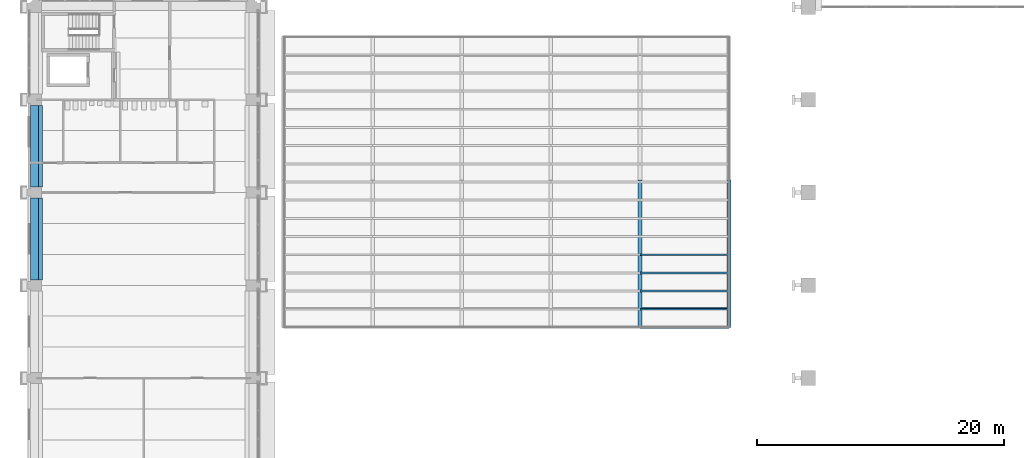
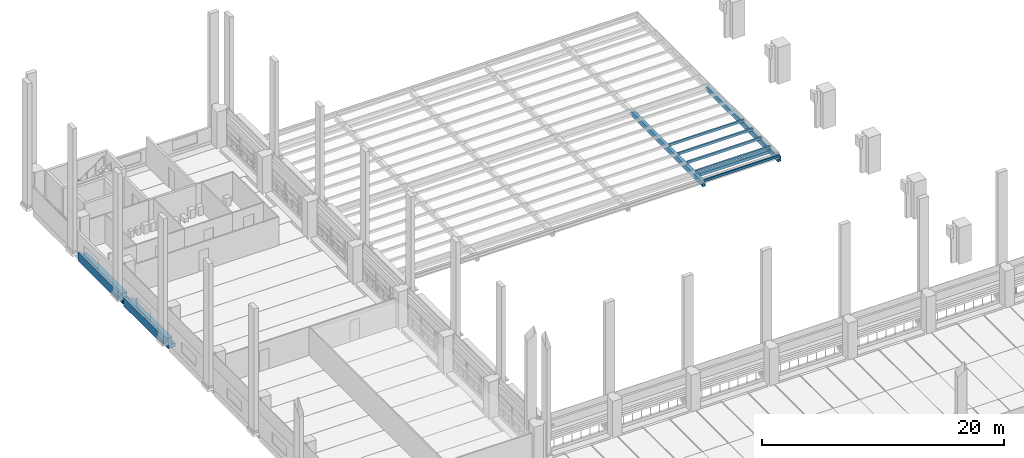
# One storey, part 11 of 67: 5 beams, 5 members.
"""IFC4 building model written with IfcOpenShell, lengths in metres."""

from ifc_helpers import new_model, si_unit, direction, frame, origin, origin_2d, place, context, subcontext, project, spatial, polyline, hollow_rectangle, outline, extrude, material, material_profile, profile_set, type_object, element, save


model = new_model("IFC4")

# Units and contexts
model_context = context("Model", 3, precision=1e-05, world=origin(), true_north=direction((0.0, 1.0)))
body_context = subcontext(model_context, "Body", "Model", "MODEL_VIEW")
ifc_project = project(units=[si_unit("LENGTHUNIT", "METRE"), si_unit("AREAUNIT", "SQUARE_METRE"), si_unit("VOLUMEUNIT", "CUBIC_METRE"), si_unit("PLANEANGLEUNIT", "RADIAN"), si_unit("MASSUNIT", "GRAM", prefix="KILO")], contexts=[model_context])

# Site, building, storey
site_placement = place(None, origin())
site = spatial("IfcSite", under=ifc_project, at=site_placement, CompositionType="ELEMENT")
building_placement = place(site_placement, origin())
building = spatial("IfcBuilding", under=site, at=building_placement, Name="Cour d'Honneur Mobility Palace", CompositionType="ELEMENT")
storey_placement = place(building_placement, frame((0.0, 0.0, 4.5)))
storey = spatial("IfcBuildingStorey", under=building, at=storey_placement, Name="L01", CompositionType="ELEMENT", Elevation=4.5)

# Beams
ifc_material_1 = material(Name="Steel S355", Category="steel")
ifc_material_profile_1 = material_profile(ifc_material_1, hollow_rectangle(XDim=0.300048828125, YDim=0.5, WallThickness=0.01611328125, at=origin_2d()), Name="RHS 500x300x16")
ifc_profile_set_1 = profile_set([ifc_material_profile_1], Name="Steel S355")
beam_type_1 = type_object("IfcBeamType", Name="Canopy main beam RHS 500x300x16", PredefinedType="BEAM", material=ifc_profile_set_1)
for number, where, z_axis, x_axis, name in (
    (1, (48.800048828125, 89.0, 0.75), (0.0, 1.0, 0.0), (-1.0, 0.0, 0.0), "Canopy main beam FCM-W5.1"),
    (2, (56.0, 89.0, 0.75), (0.0, 1.0, 0.0), (-1.0, 0.0, 0.0), "Canopy main beam FCM-W6.1"),
):
    element("IfcBeam", number, at=place(storey_placement, frame(where, z_axis=z_axis, x_axis=x_axis)), inside=storey, type_object=beam_type_1, Name=name, PredefinedType="BEAM", context=body_context, shape_type="SweptSolid", body=[
        extrude(hollow_rectangle(XDim=0.300048828125, YDim=0.5, WallThickness=0.01611328125, at=origin_2d()), origin(), (0.0, 0.0, 1.0), 11.911865234375),
    ])

# Members
ifc_material_2 = material(Name="Steel S355", Category="steel")
ifc_material_profile_2 = material_profile(ifc_material_2, hollow_rectangle(XDim=0.14990234375, YDim=0.25, WallThickness=0.010009765625, at=origin_2d()), Name="RHS 250x150x10")
ifc_profile_set_2 = profile_set([ifc_material_profile_2], Name="Steel S355")
member_type = type_object("IfcMemberType", Name="Canopy purlin RHS 250x150x10", PredefinedType="PURLIN", material=ifc_profile_set_2)
for number, where, z_axis, x_axis, name in (
    (3, (48.800048828125, 89.0, 1.125), (1.0, 0.0, 0.0), (0.0, 1.0, 0.0), "Canopy purlin FCP-W1.5"),
    (4, (48.800048828125, 90.46875, 1.125), (1.0, 0.0, 0.0), (0.0, 1.0, 0.0), "Canopy purlin FCP-W2.5"),
    (5, (48.800048828125, 91.9375, 1.125), (1.0, 0.0, 0.0), (0.0, 1.0, 0.0), "Canopy purlin FCP-W3.5"),
    (6, (48.800048828125, 93.40625, 1.125), (1.0, 0.0, 0.0), (0.0, 1.0, 0.0), "Canopy purlin FCP-W4.5"),
    (7, (48.800048828125, 94.875, 1.125), (1.0, 0.0, 0.0), (0.0, 1.0, 0.0), "Canopy purlin FCP-W5.5"),
):
    element("IfcMember", number, at=place(storey_placement, frame(where, z_axis=z_axis, x_axis=x_axis)), inside=storey, type_object=member_type, Name=name, PredefinedType="PURLIN", context=body_context, shape_type="SweptSolid", body=[
        extrude(hollow_rectangle(XDim=0.14990234375, YDim=0.25, WallThickness=0.010009765625, at=origin_2d()), origin(), (0.0, 0.0, 1.0), 7.199951171875),
    ])

# Beams
ifc_material_3 = material(Name="Steel S355", Category="steel")
ifc_material_profile_3 = material_profile(ifc_material_3, hollow_rectangle(XDim=0.199951171875, YDim=0.300048828125, WallThickness=0.012451171875, at=origin_2d()), Name="RHS 300x200x12.5")
ifc_profile_set_3 = profile_set([ifc_material_profile_3], Name="Steel S355")
beam_type_2 = type_object("IfcBeamType", Name="Canopy tie beam RHS 300x200x12.5", PredefinedType="BEAM", material=ifc_profile_set_3)
beam_placement = place(storey_placement, frame((48.9619140625, 90.5, 0.64990234375), z_axis=(1.0, 0.0, 0.0), x_axis=(0.0, 1.0, 0.0)))
element("IfcBeam", 8, at=beam_placement, inside=storey, type_object=beam_type_2, Name="Canopy tie beam FCT-W1.5", PredefinedType="BEAM", context=body_context, shape_type="SweptSolid", body=[
    extrude(hollow_rectangle(XDim=0.199951171875, YDim=0.300048828125, WallThickness=0.012451171875, at=origin_2d()), origin(), (0.0, 0.0, 1.0), 6.876220703125),
])
ifc_material_4 = material(Name="Concrete C45", Category="concrete")
ifc_material_profile_4 = material_profile(ifc_material_4, outline(polyline([(0.199951171875, -1.10009765625), (0.199951171875, -0.60009765625), (0.64990234375, -0.60009765625), (0.64990234375, 0.300048828125), (0.449951171875, 0.300048828125), (0.449951171875, 0.0), (0.199951171875, 0.0), (-0.199951171875, 0.0), (-0.199951171875, -0.75), (-0.5, -0.75), (-0.5, -1.10009765625), (0.199951171875, -1.10009765625)])), Name="Ledger Beam 400x1100 ledge right 350 facade left")
ifc_profile_set_4 = profile_set([ifc_material_profile_4], Name="Concrete C45")
beam_type_3 = type_object("IfcBeamType", Name="Ledger Beam 400x1100 ledge right 350 facade left", PredefinedType="BEAM", material=ifc_profile_set_4)
for number, where, z_axis, x_axis, name in (
    (9, (0.0, 92.85009765625, 0.0), (0.0, 1.0, 0.0), (-1.0, 0.0, 0.0), "Precast beam B4 M-N L01"),
    (10, (0.0, 100.35009765625, 0.0), (0.0, 1.0, 0.0), (-1.0, 0.0, 0.0), "Precast beam B4 N-P L01"),
):
    element("IfcBeam", number, at=place(storey_placement, frame(where, z_axis=z_axis, x_axis=x_axis)), inside=storey, type_object=beam_type_3, Name=name, PredefinedType="BEAM", context=body_context, shape_type="SweptSolid", body=[
        extrude(outline(polyline([(0.199951171875, -1.10009765625), (0.199951171875, -0.60009765625), (0.64990234375, -0.60009765625), (0.64990234375, 0.300048828125), (0.449951171875, 0.300048828125), (0.449951171875, 0.0), (0.199951171875, 0.0), (-0.199951171875, 0.0), (-0.199951171875, -0.75), (-0.5, -0.75), (-0.5, -1.10009765625), (0.199951171875, -1.10009765625)])), origin(), (0.0, 0.0, 1.0), 6.599853515625),
    ])

save(model, "model.ifc")
